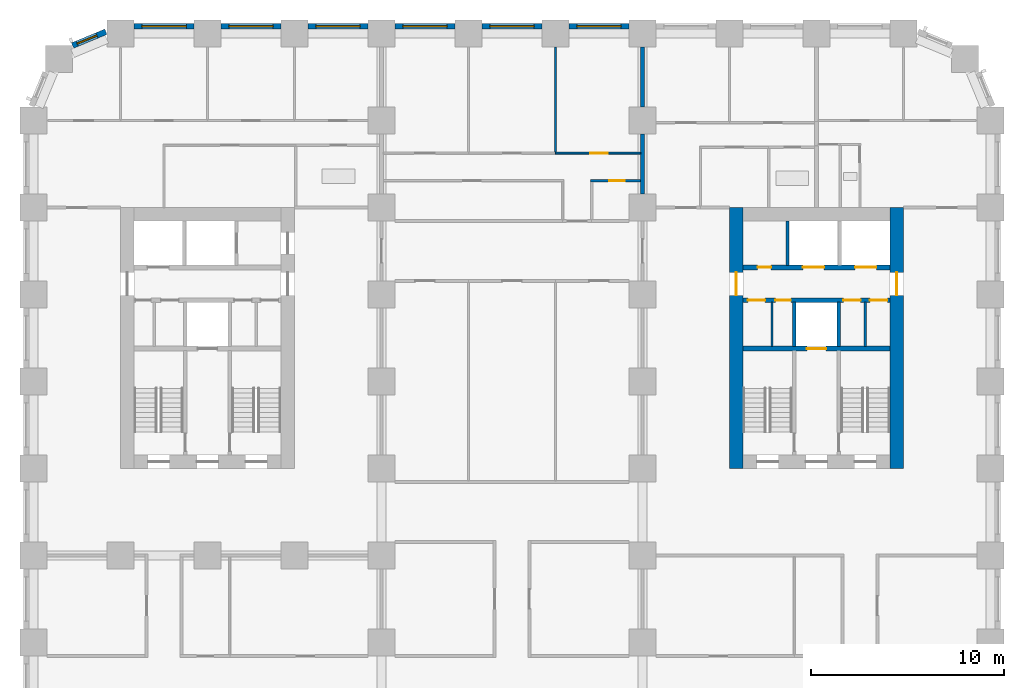
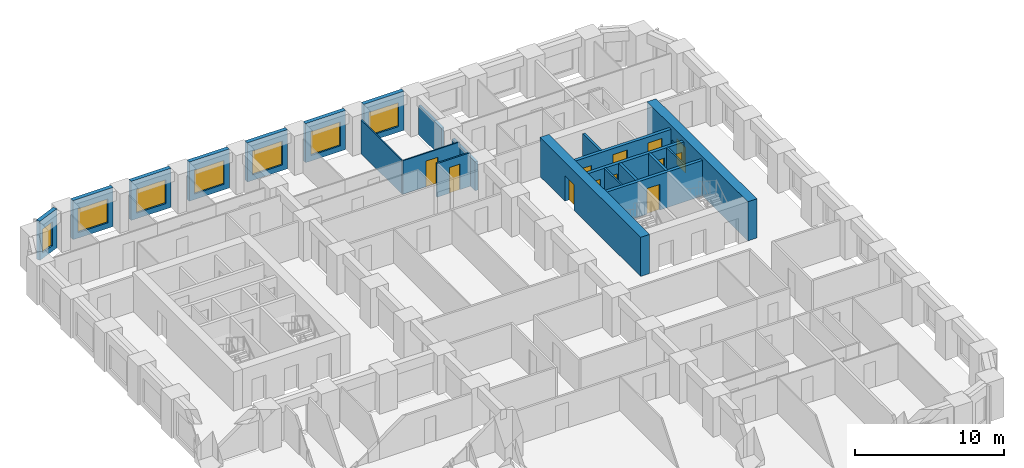
# One storey, part 8 of 13: 22 walls, 12 doors, 7 windows, 19 openings.
"""IFC4 building model written with IfcOpenShell, lengths in metres."""

from ifc_helpers import new_model, si_unit, direction, frame, frame_2d, origin, place, context, subcontext, project, spatial, rectangle, extrude, material, layer, layer_set, type_object, element, fill, save


model = new_model("IFC4")

# Units and contexts
model_context = context("Model", 3, precision=1e-05, world=origin(), true_north=direction((0.0, 1.0)))
body_context = subcontext(model_context, "Body", "Model", "MODEL_VIEW")
ifc_project = project(units=[si_unit("LENGTHUNIT", "METRE"), si_unit("AREAUNIT", "SQUARE_METRE"), si_unit("VOLUMEUNIT", "CUBIC_METRE"), si_unit("PLANEANGLEUNIT", "RADIAN"), si_unit("MASSUNIT", "GRAM", prefix="KILO")], contexts=[model_context])

# Site, building, storey
site_placement = place(None, origin())
site = spatial("IfcSite", under=ifc_project, at=site_placement, CompositionType="ELEMENT")
building_placement = place(site_placement, origin())
building = spatial("IfcBuilding", under=site, at=building_placement, Name="Girih Gate Residences", CompositionType="ELEMENT")
storey_placement = place(building_placement, frame((0.0, 0.0, 40.0)))
storey = spatial("IfcBuildingStorey", under=building, at=storey_placement, Name="L09", CompositionType="ELEMENT", Elevation=40.0)

# Wall, opening, door
ifc_material_1 = material(Name="Concrete C60/75", Category="concrete")
ifc_layer_1 = layer(ifc_material_1, 0.699951171875)
ifc_layer_set_1 = layer_set([ifc_layer_1], Name="Core wall RC 700 Concrete C60/75")
wall_type_1 = type_object("IfcWallType", Name="Core wall RC 700 Concrete C60/75", PredefinedType="SOLIDWALL", material=ifc_layer_set_1)
wall_1_placement = place(storey_placement, frame((36.35009765625, 27.0, 0.0), z_axis=(0.0, 0.0, 1.0), x_axis=(0.0, 1.0, 0.0)))
wall_1 = element("IfcWall", 1, at=wall_1_placement, inside=storey, type_object=wall_type_1, Name="Core wall E-W L09", PredefinedType="SOLIDWALL", context=body_context, shape_type="SweptSolid", body=[
    extrude(rectangle(XDim=13.5, YDim=0.699951171875, at=frame_2d((6.75, 0.0))), origin(), (0.0, 0.0, 1.0), 3.199951171875),
])
opening_1_placement = place(wall_1_placement, frame((8.949951171875, 0.0, 0.0)))
opening_1 = element("IfcOpeningElement", 2, at=opening_1_placement, cuts=wall_1, Name="Opening D-L09-E-014", PredefinedType="OPENING", context=body_context, shape_type="SweptSolid", body=[
    extrude(rectangle(XDim=1.199951171875, YDim=2.10009765625, at=frame_2d((0.60009765625, 1.050048828125))), frame((0.0, 0.35986328125, 0.0), z_axis=(0.0, -1.0, 0.0), x_axis=(1.0, 0.0, 0.0)), (0.0, 0.0, 1.0), 0.719970703125),
])
ifc_material_2 = material(Name="Painted steel, fire-resisting", Category="steel")
door_type_1 = type_object("IfcDoorType", Name="Fire door 1200x2100", OperationType="SINGLE_SWING_LEFT", PredefinedType="DOOR", material=ifc_material_2)
door_1_placement = place(opening_1_placement, origin())
door_1 = element("IfcDoor", 3, at=door_1_placement, inside=storey, type_object=door_type_1, Name="L09 E core door ll-w", OperationType="SINGLE_SWING_LEFT", OverallHeight=2.10009765625, OverallWidth=1.199951171875, PredefinedType="DOOR", context=body_context, shape_type="SweptSolid", body=[
    extrude(rectangle(XDim=1.199951171875, YDim=2.10009765625, at=frame_2d((0.60009765625, 1.050048828125))), frame((0.0, 0.02490234375, 0.0), z_axis=(0.0, -1.0, 0.0), x_axis=(1.0, 0.0, 0.0)), (0.0, 0.0, 1.0), 0.050048828125),
])
fill(opening_1, door_1)

wall_2_placement = place(storey_placement, frame((44.64990234375, 27.0, 0.0), z_axis=(0.0, 0.0, 1.0), x_axis=(0.0, 1.0, 0.0)))
wall_2 = element("IfcWall", 4, at=wall_2_placement, inside=storey, type_object=wall_type_1, Name="Core wall E-E L09", PredefinedType="SOLIDWALL", context=body_context, shape_type="SweptSolid", body=[
    extrude(rectangle(XDim=13.5, YDim=0.699951171875, at=frame_2d((6.75, 0.0))), origin(), (0.0, 0.0, 1.0), 3.199951171875),
])
opening_2_placement = place(wall_2_placement, frame((8.949951171875, 0.0, 0.0)))
opening_2 = element("IfcOpeningElement", 5, at=opening_2_placement, cuts=wall_2, Name="Opening D-L09-E-015", PredefinedType="OPENING", context=body_context, shape_type="SweptSolid", body=[
    extrude(rectangle(XDim=1.199951171875, YDim=2.10009765625, at=frame_2d((0.60009765625, 1.050048828125))), frame((0.0, 0.35986328125, 0.0), z_axis=(0.0, -1.0, 0.0), x_axis=(1.0, 0.0, 0.0)), (0.0, 0.0, 1.0), 0.719970703125),
])
door_2_placement = place(opening_2_placement, origin())
door_2 = element("IfcDoor", 6, at=door_2_placement, inside=storey, type_object=door_type_1, Name="L09 E core door ll-e", OperationType="SINGLE_SWING_LEFT", OverallHeight=2.10009765625, OverallWidth=1.199951171875, PredefinedType="DOOR", context=body_context, shape_type="SweptSolid", body=[
    extrude(rectangle(XDim=1.199951171875, YDim=2.10009765625, at=frame_2d((0.60009765625, 1.050048828125))), frame((0.0, 0.02490234375, 0.0), z_axis=(0.0, -1.0, 0.0), x_axis=(1.0, 0.0, 0.0)), (0.0, 0.0, 1.0), 0.050048828125),
])
fill(opening_2, door_2)

ifc_material_3 = material(Name="Concrete C40/50", Category="concrete")
ifc_layer_2 = layer(ifc_material_3, 0.25)
ifc_layer_set_2 = layer_set([ifc_layer_2], Name="Lift shaft wall 250")
wall_type_2 = type_object("IfcWallType", Name="Lift shaft wall 250", PredefinedType="SOLIDWALL", material=ifc_layer_set_2)
wall_3_placement = place(storey_placement, frame((36.699951171875, 33.199951171875, 0.0), z_axis=(0.0, 0.0, 1.0), x_axis=(1.0, 0.0, 0.0)))
wall_3 = element("IfcWall", 7, at=wall_3_placement, inside=storey, type_object=wall_type_2, Name="L09 E core wall H1", PredefinedType="SOLIDWALL", context=body_context, shape_type="SweptSolid", body=[
    extrude(rectangle(XDim=7.60009765625, YDim=0.25, at=frame_2d((3.800048828125, 0.0))), origin(), (0.0, 0.0, 1.0), 2.89990234375),
])
opening_3_placement = place(wall_3_placement, frame((3.300048828125, 0.0, 0.0)))
opening_3 = element("IfcOpeningElement", 8, at=opening_3_placement, cuts=wall_3, Name="Opening D-L09-E-005", PredefinedType="OPENING", context=body_context, shape_type="SweptSolid", body=[
    extrude(rectangle(XDim=1.0, YDim=2.10009765625, at=frame_2d((0.5, 1.050048828125))), frame((0.0, 0.135009765625, 0.0), z_axis=(0.0, -1.0, 0.0), x_axis=(1.0, 0.0, 0.0)), (0.0, 0.0, 1.0), 0.27001953125),
])
ifc_material_4 = material(Name="Stainless steel, fire-resisting", Category="steel")
door_type_2 = type_object("IfcDoorType", Name="Firefighting lift landing door 1000x2100", OperationType="SLIDING_TO_LEFT", PredefinedType="DOOR", material=ifc_material_4)
door_3_placement = place(opening_3_placement, origin())
door_3 = element("IfcDoor", 9, at=door_3_placement, inside=storey, type_object=door_type_2, Name="L09 lift FF-E landing door", OperationType="SLIDING_TO_LEFT", OverallHeight=2.10009765625, OverallWidth=1.0, PredefinedType="DOOR", context=body_context, shape_type="SweptSolid", body=[
    extrude(rectangle(XDim=1.0, YDim=2.10009765625, at=frame_2d((0.5, 1.050048828125))), frame((0.0, 0.02490234375, 0.0), z_axis=(0.0, -1.0, 0.0), x_axis=(1.0, 0.0, 0.0)), (0.0, 0.0, 1.0), 0.050048828125),
])
fill(opening_3, door_3)

# Wall, openings, doors
wall_4_placement = place(storey_placement, frame((36.699951171875, 35.699951171875, 0.0), z_axis=(0.0, 0.0, 1.0), x_axis=(1.0, 0.0, 0.0)))
wall_4 = element("IfcWall", 10, at=wall_4_placement, inside=storey, type_object=wall_type_2, Name="L09 E core wall H2", PredefinedType="SOLIDWALL", context=body_context, shape_type="SweptSolid", body=[
    extrude(rectangle(XDim=7.60009765625, YDim=0.25, at=frame_2d((3.800048828125, 0.0))), origin(), (0.0, 0.0, 1.0), 2.89990234375),
])
opening_4_placement = place(wall_4_placement, frame((6.5625, 0.0, 0.0)))
opening_4 = element("IfcOpeningElement", 11, at=opening_4_placement, cuts=wall_4, Name="Opening D-L09-E-007", PredefinedType="OPENING", context=body_context, shape_type="SweptSolid", body=[
    extrude(rectangle(XDim=0.89990234375, YDim=2.10009765625, at=frame_2d((0.449951171875, 1.050048828125))), frame((0.0, 0.135009765625, 0.0), z_axis=(0.0, -1.0, 0.0), x_axis=(1.0, 0.0, 0.0)), (0.0, 0.0, 1.0), 0.27001953125),
])
opening_5_placement = place(wall_4_placement, frame((5.1875, 0.0, 0.0)))
opening_5 = element("IfcOpeningElement", 12, at=opening_5_placement, cuts=wall_4, Name="Opening D-L09-E-008", PredefinedType="OPENING", context=body_context, shape_type="SweptSolid", body=[
    extrude(rectangle(XDim=0.89990234375, YDim=2.10009765625, at=frame_2d((0.449951171875, 1.050048828125))), frame((0.0, 0.135009765625, 0.0), z_axis=(0.0, -1.0, 0.0), x_axis=(1.0, 0.0, 0.0)), (0.0, 0.0, 1.0), 0.27001953125),
])
opening_6_placement = place(wall_4_placement, frame((1.675048828125, 0.0, 0.0)))
opening_6 = element("IfcOpeningElement", 13, at=opening_6_placement, cuts=wall_4, Name="Opening D-L09-E-009", PredefinedType="OPENING", context=body_context, shape_type="SweptSolid", body=[
    extrude(rectangle(XDim=0.800048828125, YDim=2.10009765625, at=frame_2d((0.39990234375, 1.050048828125))), frame((0.0, 0.135009765625, 0.0), z_axis=(0.0, -1.0, 0.0), x_axis=(1.0, 0.0, 0.0)), (0.0, 0.0, 1.0), 0.27001953125),
])
opening_7_placement = place(wall_4_placement, frame((0.25, 0.0, 0.0)))
opening_7 = element("IfcOpeningElement", 14, at=opening_7_placement, cuts=wall_4, Name="Opening D-L09-E-010", PredefinedType="OPENING", context=body_context, shape_type="SweptSolid", body=[
    extrude(rectangle(XDim=0.89990234375, YDim=2.10009765625, at=frame_2d((0.449951171875, 1.050048828125))), frame((0.0, 0.135009765625, 0.0), z_axis=(0.0, -1.0, 0.0), x_axis=(1.0, 0.0, 0.0)), (0.0, 0.0, 1.0), 0.27001953125),
])
door_type_3 = type_object("IfcDoorType", Name="Fire door 800x2100", OperationType="SINGLE_SWING_LEFT", PredefinedType="DOOR", material=ifc_material_2)
door_4_placement = place(opening_6_placement, origin())
door_4 = element("IfcDoor", 15, at=door_4_placement, inside=storey, type_object=door_type_3, Name="L09 E cleaners store door", OperationType="SINGLE_SWING_LEFT", OverallHeight=2.10009765625, OverallWidth=0.800048828125, PredefinedType="DOOR", context=body_context, shape_type="SweptSolid", body=[
    extrude(rectangle(XDim=0.800048828125, YDim=2.10009765625, at=frame_2d((0.39990234375, 1.050048828125))), frame((0.0, 0.02490234375, 0.0), z_axis=(0.0, -1.0, 0.0), x_axis=(1.0, 0.0, 0.0)), (0.0, 0.0, 1.0), 0.050048828125),
])
fill(opening_6, door_4)
door_type_4 = type_object("IfcDoorType", Name="Fire door 900x2100", OperationType="SINGLE_SWING_LEFT", PredefinedType="DOOR", material=ifc_material_2)
door_5_placement = place(opening_4_placement, origin())
door_5 = element("IfcDoor", 16, at=door_5_placement, inside=storey, type_object=door_type_4, Name="L09 E comms room door", OperationType="SINGLE_SWING_LEFT", OverallHeight=2.10009765625, OverallWidth=0.89990234375, PredefinedType="DOOR", context=body_context, shape_type="SweptSolid", body=[
    extrude(rectangle(XDim=0.89990234375, YDim=2.10009765625, at=frame_2d((0.449951171875, 1.050048828125))), frame((0.0, 0.02490234375, 0.0), z_axis=(0.0, -1.0, 0.0), x_axis=(1.0, 0.0, 0.0)), (0.0, 0.0, 1.0), 0.050048828125),
])
fill(opening_4, door_5)
door_6_placement = place(opening_5_placement, origin())
door_6 = element("IfcDoor", 17, at=door_6_placement, inside=storey, type_object=door_type_4, Name="L09 E it room door", OperationType="SINGLE_SWING_LEFT", OverallHeight=2.10009765625, OverallWidth=0.89990234375, PredefinedType="DOOR", context=body_context, shape_type="SweptSolid", body=[
    extrude(rectangle(XDim=0.89990234375, YDim=2.10009765625, at=frame_2d((0.449951171875, 1.050048828125))), frame((0.0, 0.02490234375, 0.0), z_axis=(0.0, -1.0, 0.0), x_axis=(1.0, 0.0, 0.0)), (0.0, 0.0, 1.0), 0.050048828125),
])
fill(opening_5, door_6)
door_7_placement = place(opening_7_placement, origin())
door_7 = element("IfcDoor", 18, at=door_7_placement, inside=storey, type_object=door_type_4, Name="L09 E riser room door", OperationType="SINGLE_SWING_LEFT", OverallHeight=2.10009765625, OverallWidth=0.89990234375, PredefinedType="DOOR", context=body_context, shape_type="SweptSolid", body=[
    extrude(rectangle(XDim=0.89990234375, YDim=2.10009765625, at=frame_2d((0.449951171875, 1.050048828125))), frame((0.0, 0.02490234375, 0.0), z_axis=(0.0, -1.0, 0.0), x_axis=(1.0, 0.0, 0.0)), (0.0, 0.0, 1.0), 0.050048828125),
])
fill(opening_7, door_7)

wall_5_placement = place(storey_placement, frame((36.699951171875, 37.39990234375, 0.0), z_axis=(0.0, 0.0, 1.0), x_axis=(1.0, 0.0, 0.0)))
wall_5 = element("IfcWall", 19, at=wall_5_placement, inside=storey, type_object=wall_type_2, Name="L09 E core wall H3", PredefinedType="SOLIDWALL", context=body_context, shape_type="SweptSolid", body=[
    extrude(rectangle(XDim=7.60009765625, YDim=0.25, at=frame_2d((3.800048828125, 0.0))), origin(), (0.0, 0.0, 1.0), 2.89990234375),
])
opening_8_placement = place(wall_5_placement, frame((5.800048828125, 0.0, 0.0)))
opening_8 = element("IfcOpeningElement", 20, at=opening_8_placement, cuts=wall_5, Name="Opening D-L09-E-003", PredefinedType="OPENING", context=body_context, shape_type="SweptSolid", body=[
    extrude(rectangle(XDim=1.10009765625, YDim=2.39990234375, at=frame_2d((0.550048828125, 1.199951171875))), frame((0.0, 0.135009765625, 0.0), z_axis=(0.0, -1.0, 0.0), x_axis=(1.0, 0.0, 0.0)), (0.0, 0.0, 1.0), 0.27001953125),
])
opening_9_placement = place(wall_5_placement, frame((3.10009765625, 0.0, 0.0)))
opening_9 = element("IfcOpeningElement", 21, at=opening_9_placement, cuts=wall_5, Name="Opening D-L09-E-004", PredefinedType="OPENING", context=body_context, shape_type="SweptSolid", body=[
    extrude(rectangle(XDim=1.10009765625, YDim=2.39990234375, at=frame_2d((0.550048828125, 1.199951171875))), frame((0.0, 0.135009765625, 0.0), z_axis=(0.0, -1.0, 0.0), x_axis=(1.0, 0.0, 0.0)), (0.0, 0.0, 1.0), 0.27001953125),
])
opening_10_placement = place(wall_5_placement, frame((0.75, 0.0, 0.0)))
opening_10 = element("IfcOpeningElement", 22, at=opening_10_placement, cuts=wall_5, Name="Opening D-L09-E-006", PredefinedType="OPENING", context=body_context, shape_type="SweptSolid", body=[
    extrude(rectangle(XDim=0.699951171875, YDim=2.10009765625, at=frame_2d((0.35009765625, 1.050048828125))), frame((0.0, 0.135009765625, 0.0), z_axis=(0.0, -1.0, 0.0), x_axis=(1.0, 0.0, 0.0)), (0.0, 0.0, 1.0), 0.27001953125),
])
ifc_material_5 = material(Name="Stainless steel", Category="steel")
door_type_5 = type_object("IfcDoorType", Name="Lift landing door 1100x2400", OperationType="SLIDING_TO_LEFT", PredefinedType="DOOR", material=ifc_material_5)
door_8_placement = place(opening_8_placement, origin())
door_8 = element("IfcDoor", 23, at=door_8_placement, inside=storey, type_object=door_type_5, Name="L09 lift LR-E1 landing door", OperationType="SLIDING_TO_LEFT", OverallHeight=2.39990234375, OverallWidth=1.10009765625, PredefinedType="DOOR", context=body_context, shape_type="SweptSolid", body=[
    extrude(rectangle(XDim=1.10009765625, YDim=2.39990234375, at=frame_2d((0.550048828125, 1.199951171875))), frame((0.0, 0.02490234375, 0.0), z_axis=(0.0, -1.0, 0.0), x_axis=(1.0, 0.0, 0.0)), (0.0, 0.0, 1.0), 0.050048828125),
])
fill(opening_8, door_8)
door_9_placement = place(opening_9_placement, origin())
door_9 = element("IfcDoor", 24, at=door_9_placement, inside=storey, type_object=door_type_5, Name="L09 lift LR-E2 landing door", OperationType="SLIDING_TO_LEFT", OverallHeight=2.39990234375, OverallWidth=1.10009765625, PredefinedType="DOOR", context=body_context, shape_type="SweptSolid", body=[
    extrude(rectangle(XDim=1.10009765625, YDim=2.39990234375, at=frame_2d((0.550048828125, 1.199951171875))), frame((0.0, 0.02490234375, 0.0), z_axis=(0.0, -1.0, 0.0), x_axis=(1.0, 0.0, 0.0)), (0.0, 0.0, 1.0), 0.050048828125),
])
fill(opening_9, door_9)
door_type_6 = type_object("IfcDoorType", Name="Riser access door 700x2100", OperationType="SINGLE_SWING_LEFT", PredefinedType="DOOR", material=ifc_material_2)
door_10_placement = place(opening_10_placement, origin())
door_10 = element("IfcDoor", 25, at=door_10_placement, inside=storey, type_object=door_type_6, Name="L09 E riser room door", OperationType="SINGLE_SWING_LEFT", OverallHeight=2.10009765625, OverallWidth=0.699951171875, PredefinedType="DOOR", context=body_context, shape_type="SweptSolid", body=[
    extrude(rectangle(XDim=0.699951171875, YDim=2.10009765625, at=frame_2d((0.35009765625, 1.050048828125))), frame((0.0, 0.02490234375, 0.0), z_axis=(0.0, -1.0, 0.0), x_axis=(1.0, 0.0, 0.0)), (0.0, 0.0, 1.0), 0.050048828125),
])
fill(opening_10, door_10)

# Wall
ifc_material_6 = material(Name="Gypsum board on steel studs", Category="steel")
ifc_layer_3 = layer(ifc_material_6, 0.10009765625)
ifc_layer_set_3 = layer_set([ifc_layer_3], Name="Partition 100 mm")
wall_type_3 = type_object("IfcWallType", Name="Partition 100 mm", PredefinedType="PARTITIONING", material=ifc_layer_set_3)
wall_6_placement = place(storey_placement, frame((27.0, 43.360107421875, 0.0), z_axis=(0.0, 0.0, 1.0), x_axis=(0.0, 1.0, 0.0)))
element("IfcWall", 26, at=wall_6_placement, inside=storey, type_object=wall_type_3, Name="L09 partition", PredefinedType="PARTITIONING", context=body_context, shape_type="SweptSolid", body=[
    extrude(rectangle(XDim=5.43994140625, YDim=0.10009765625, at=frame_2d((2.719970703125, 0.0))), origin(), (0.0, 0.0, 1.0), 2.75),
])

# Wall, opening, door
wall_7_placement = place(storey_placement, frame((27.0, 43.31005859375, 0.0), z_axis=(0.0, 0.0, 1.0), x_axis=(1.0, 0.0, 0.0)))
wall_7 = element("IfcWall", 27, at=wall_7_placement, inside=storey, type_object=wall_type_3, Name="L09 partition", PredefinedType="PARTITIONING", context=body_context, shape_type="SweptSolid", body=[
    extrude(rectangle(XDim=4.39990234375, YDim=0.10009765625, at=frame_2d((2.199951171875, 0.0))), origin(), (0.0, 0.0, 1.0), 2.75),
])
opening_11_placement = place(wall_7_placement, frame((1.800048828125, 0.0, 0.0)))
opening_11 = element("IfcOpeningElement", 28, at=opening_11_placement, cuts=wall_7, Name="Opening A09-040", PredefinedType="OPENING", context=body_context, shape_type="SweptSolid", body=[
    extrude(rectangle(XDim=0.89990234375, YDim=2.10009765625, at=frame_2d((0.449951171875, 1.050048828125))), frame((0.0, 0.06005859375, 0.0), z_axis=(0.0, -1.0, 0.0), x_axis=(1.0, 0.0, 0.0)), (0.0, 0.0, 1.0), 0.1201171875),
])
ifc_material_7 = material(Name="Timber", Category="wood")
door_type_7 = type_object("IfcDoorType", Name="Bedroom door 900x2100", OperationType="NOTDEFINED", PredefinedType="DOOR", material=ifc_material_7)
door_11_placement = place(opening_11_placement, origin())
door_11 = element("IfcDoor", 29, at=door_11_placement, inside=storey, type_object=door_type_7, Name="Door A09-040", OperationType="SINGLE_SWING_RIGHT", OverallHeight=2.10009765625, OverallWidth=0.89990234375, PredefinedType="DOOR", context=body_context, shape_type="SweptSolid", body=[
    extrude(rectangle(XDim=0.89990234375, YDim=2.10009765625, at=frame_2d((0.449951171875, 1.050048828125))), frame((0.0, 0.02490234375, 0.0), z_axis=(0.0, -1.0, 0.0), x_axis=(1.0, 0.0, 0.0)), (0.0, 0.0, 1.0), 0.050048828125),
])
fill(opening_11, door_11)

# Walls
ifc_layer_4 = layer(ifc_material_6, 0.199951171875)
ifc_layer_set_4 = layer_set([ifc_layer_4], Name="Party wall 200 mm")
wall_type_4 = type_object("IfcWallType", Name="Party wall 200 mm", PredefinedType="PARTITIONING", material=ifc_layer_set_4)
for number, where, z_axis, x_axis, name in (
    (30, (31.5, 41.199951171875, 0.0), (0.0, 0.0, 1.0), (0.0, 1.0, 0.0), "L09 partition"),
    (31, (31.5, 45.699951171875, 0.0), (0.0, 0.0, 1.0), (0.0, 1.0, 0.0), "L09 partition"),
):
    element("IfcWall", number, at=place(storey_placement, frame(where, z_axis=z_axis, x_axis=x_axis)), inside=storey, type_object=wall_type_4, Name=name, PredefinedType="PARTITIONING", context=body_context, shape_type="SweptSolid", body=[
        extrude(rectangle(XDim=3.10009765625, YDim=0.199951171875, at=frame_2d((1.550048828125, 0.0))), origin(), (0.0, 0.0, 1.0), 2.3798828125),
    ])

# Wall, opening, window
ifc_material_8 = material(Name="Precast concrete C50/60", Category="concrete")
ifc_layer_5 = layer(ifc_material_8, 0.080078125, Name="Outer leaf")
ifc_material_9 = material(Name="Rigid PIR insulation")
ifc_layer_6 = layer(ifc_material_9, 0.14990234375, Name="Insulation")
ifc_material_10 = material(Name="Precast concrete C40/50", Category="concrete")
ifc_layer_7 = layer(ifc_material_10, 0.070068359375, Name="Inner leaf")
ifc_layer_set_5 = layer_set([ifc_layer_5, ifc_layer_6, ifc_layer_7], Name="Precast concrete C50/60 external wall 300")
wall_type_5 = type_object("IfcWallType", Name="Precast concrete C50/60 external wall 300", PredefinedType="SOLIDWALL", material=ifc_layer_set_5)
wall_8_placement = place(storey_placement, frame((27.699951171875, 49.875, 0.0), z_axis=(0.0, 0.0, 1.0), x_axis=(1.0, 0.0, 0.0)))
wall_8 = element("IfcWall", 32, at=wall_8_placement, inside=storey, type_object=wall_type_5, Name="External wall N0450_0495.3", PredefinedType="SOLIDWALL", context=body_context, shape_type="SweptSolid", body=[
    extrude(rectangle(XDim=3.10009765625, YDim=0.300048828125, at=frame_2d((1.550048828125, 0.0))), origin(), (0.0, 0.0, 1.0), 3.199951171875),
])
opening_12_placement = place(wall_8_placement, frame((0.39990234375, 0.0, 0.449951171875)))
opening_12 = element("IfcOpeningElement", 33, at=opening_12_placement, cuts=wall_8, Name="Opening W-1", PredefinedType="OPENING", context=body_context, shape_type="SweptSolid", body=[
    extrude(rectangle(XDim=2.300048828125, YDim=1.949951171875, at=frame_2d((1.14990234375, 0.97509765625))), frame((0.0, 0.159912109375, 0.0), z_axis=(0.0, -1.0, 0.0), x_axis=(1.0, 0.0, 0.0)), (0.0, 0.0, 1.0), 0.320068359375),
])
ifc_material_11 = material(Name="Double glazing in aluminium frame", Category="aluminium")
window_type_1 = type_object("IfcWindowType", Name="Window W-1 2300x1950", PartitioningType="SINGLE_PANEL", PredefinedType="WINDOW", material=ifc_material_11)
window_1_placement = place(opening_12_placement, origin())
window_1 = element("IfcWindow", 34, at=window_1_placement, inside=storey, type_object=window_type_1, Name="Window W-1 N0450_0495.3", OverallHeight=1.949951171875, OverallWidth=2.300048828125, PartitioningType="SINGLE_PANEL", PredefinedType="WINDOW", context=body_context, shape_type="SweptSolid", body=[
    extrude(rectangle(XDim=2.300048828125, YDim=1.949951171875, at=frame_2d((1.14990234375, 0.97509765625))), frame((0.0, 0.030029296875, 0.0), z_axis=(0.0, -1.0, 0.0), x_axis=(1.0, 0.0, 0.0)), (0.0, 0.0, 1.0), 0.06005859375),
])
fill(opening_12, window_1)

wall_9_placement = place(storey_placement, frame((23.199951171875, 49.875, 0.0), z_axis=(0.0, 0.0, 1.0), x_axis=(1.0, 0.0, 0.0)))
wall_9 = element("IfcWall", 35, at=wall_9_placement, inside=storey, type_object=wall_type_5, Name="External wall N0450_0495.4", PredefinedType="SOLIDWALL", context=body_context, shape_type="SweptSolid", body=[
    extrude(rectangle(XDim=3.10009765625, YDim=0.300048828125, at=frame_2d((1.550048828125, 0.0))), origin(), (0.0, 0.0, 1.0), 3.199951171875),
])
opening_13_placement = place(wall_9_placement, frame((0.39990234375, 0.0, 0.449951171875)))
opening_13 = element("IfcOpeningElement", 36, at=opening_13_placement, cuts=wall_9, Name="Opening W-1", PredefinedType="OPENING", context=body_context, shape_type="SweptSolid", body=[
    extrude(rectangle(XDim=2.300048828125, YDim=1.949951171875, at=frame_2d((1.14990234375, 0.97509765625))), frame((0.0, 0.159912109375, 0.0), z_axis=(0.0, -1.0, 0.0), x_axis=(1.0, 0.0, 0.0)), (0.0, 0.0, 1.0), 0.320068359375),
])
window_2_placement = place(opening_13_placement, origin())
window_2 = element("IfcWindow", 37, at=window_2_placement, inside=storey, type_object=window_type_1, Name="Window W-1 N0450_0495.4", OverallHeight=1.949951171875, OverallWidth=2.300048828125, PartitioningType="SINGLE_PANEL", PredefinedType="WINDOW", context=body_context, shape_type="SweptSolid", body=[
    extrude(rectangle(XDim=2.300048828125, YDim=1.949951171875, at=frame_2d((1.14990234375, 0.97509765625))), frame((0.0, 0.030029296875, 0.0), z_axis=(0.0, -1.0, 0.0), x_axis=(1.0, 0.0, 0.0)), (0.0, 0.0, 1.0), 0.06005859375),
])
fill(opening_13, window_2)

wall_10_placement = place(storey_placement, frame((18.699951171875, 49.875, 0.0), z_axis=(0.0, 0.0, 1.0), x_axis=(1.0, 0.0, 0.0)))
wall_10 = element("IfcWall", 38, at=wall_10_placement, inside=storey, type_object=wall_type_5, Name="External wall N0450_0495.5", PredefinedType="SOLIDWALL", context=body_context, shape_type="SweptSolid", body=[
    extrude(rectangle(XDim=3.10009765625, YDim=0.300048828125, at=frame_2d((1.550048828125, 0.0))), origin(), (0.0, 0.0, 1.0), 3.199951171875),
])
opening_14_placement = place(wall_10_placement, frame((0.39990234375, 0.0, 0.449951171875)))
opening_14 = element("IfcOpeningElement", 39, at=opening_14_placement, cuts=wall_10, Name="Opening W-1", PredefinedType="OPENING", context=body_context, shape_type="SweptSolid", body=[
    extrude(rectangle(XDim=2.300048828125, YDim=1.949951171875, at=frame_2d((1.14990234375, 0.97509765625))), frame((0.0, 0.159912109375, 0.0), z_axis=(0.0, -1.0, 0.0), x_axis=(1.0, 0.0, 0.0)), (0.0, 0.0, 1.0), 0.320068359375),
])
window_3_placement = place(opening_14_placement, origin())
window_3 = element("IfcWindow", 40, at=window_3_placement, inside=storey, type_object=window_type_1, Name="Window W-1 N0450_0495.5", OverallHeight=1.949951171875, OverallWidth=2.300048828125, PartitioningType="SINGLE_PANEL", PredefinedType="WINDOW", context=body_context, shape_type="SweptSolid", body=[
    extrude(rectangle(XDim=2.300048828125, YDim=1.949951171875, at=frame_2d((1.14990234375, 0.97509765625))), frame((0.0, 0.030029296875, 0.0), z_axis=(0.0, -1.0, 0.0), x_axis=(1.0, 0.0, 0.0)), (0.0, 0.0, 1.0), 0.06005859375),
])
fill(opening_14, window_3)

wall_11_placement = place(storey_placement, frame((14.199951171875, 49.875, 0.0), z_axis=(0.0, 0.0, 1.0), x_axis=(1.0, 0.0, 0.0)))
wall_11 = element("IfcWall", 41, at=wall_11_placement, inside=storey, type_object=wall_type_5, Name="External wall N0450_0495.6", PredefinedType="SOLIDWALL", context=body_context, shape_type="SweptSolid", body=[
    extrude(rectangle(XDim=3.10009765625, YDim=0.300048828125, at=frame_2d((1.550048828125, 0.0))), origin(), (0.0, 0.0, 1.0), 3.199951171875),
])
opening_15_placement = place(wall_11_placement, frame((0.39990234375, 0.0, 0.449951171875)))
opening_15 = element("IfcOpeningElement", 42, at=opening_15_placement, cuts=wall_11, Name="Opening W-1", PredefinedType="OPENING", context=body_context, shape_type="SweptSolid", body=[
    extrude(rectangle(XDim=2.300048828125, YDim=1.949951171875, at=frame_2d((1.14990234375, 0.97509765625))), frame((0.0, 0.159912109375, 0.0), z_axis=(0.0, -1.0, 0.0), x_axis=(1.0, 0.0, 0.0)), (0.0, 0.0, 1.0), 0.320068359375),
])
window_4_placement = place(opening_15_placement, origin())
window_4 = element("IfcWindow", 43, at=window_4_placement, inside=storey, type_object=window_type_1, Name="Window W-1 N0450_0495.6", OverallHeight=1.949951171875, OverallWidth=2.300048828125, PartitioningType="SINGLE_PANEL", PredefinedType="WINDOW", context=body_context, shape_type="SweptSolid", body=[
    extrude(rectangle(XDim=2.300048828125, YDim=1.949951171875, at=frame_2d((1.14990234375, 0.97509765625))), frame((0.0, 0.030029296875, 0.0), z_axis=(0.0, -1.0, 0.0), x_axis=(1.0, 0.0, 0.0)), (0.0, 0.0, 1.0), 0.06005859375),
])
fill(opening_15, window_4)

wall_12_placement = place(storey_placement, frame((9.699951171875, 49.875, 0.0), z_axis=(0.0, 0.0, 1.0), x_axis=(1.0, 0.0, 0.0)))
wall_12 = element("IfcWall", 44, at=wall_12_placement, inside=storey, type_object=wall_type_5, Name="External wall N0450_0495.7", PredefinedType="SOLIDWALL", context=body_context, shape_type="SweptSolid", body=[
    extrude(rectangle(XDim=3.10009765625, YDim=0.300048828125, at=frame_2d((1.550048828125, 0.0))), origin(), (0.0, 0.0, 1.0), 3.199951171875),
])
opening_16_placement = place(wall_12_placement, frame((0.39990234375, 0.0, 0.449951171875)))
opening_16 = element("IfcOpeningElement", 45, at=opening_16_placement, cuts=wall_12, Name="Opening W-1", PredefinedType="OPENING", context=body_context, shape_type="SweptSolid", body=[
    extrude(rectangle(XDim=2.300048828125, YDim=1.949951171875, at=frame_2d((1.14990234375, 0.97509765625))), frame((0.0, 0.159912109375, 0.0), z_axis=(0.0, -1.0, 0.0), x_axis=(1.0, 0.0, 0.0)), (0.0, 0.0, 1.0), 0.320068359375),
])
window_5_placement = place(opening_16_placement, origin())
window_5 = element("IfcWindow", 46, at=window_5_placement, inside=storey, type_object=window_type_1, Name="Window W-1 N0450_0495.7", OverallHeight=1.949951171875, OverallWidth=2.300048828125, PartitioningType="SINGLE_PANEL", PredefinedType="WINDOW", context=body_context, shape_type="SweptSolid", body=[
    extrude(rectangle(XDim=2.300048828125, YDim=1.949951171875, at=frame_2d((1.14990234375, 0.97509765625))), frame((0.0, 0.030029296875, 0.0), z_axis=(0.0, -1.0, 0.0), x_axis=(1.0, 0.0, 0.0)), (0.0, 0.0, 1.0), 0.06005859375),
])
fill(opening_16, window_5)

wall_13_placement = place(storey_placement, frame((5.199951171875, 49.875, 0.0), z_axis=(0.0, 0.0, 1.0), x_axis=(1.0, 0.0, 0.0)))
wall_13 = element("IfcWall", 47, at=wall_13_placement, inside=storey, type_object=wall_type_5, Name="External wall N0450_0495.8", PredefinedType="SOLIDWALL", context=body_context, shape_type="SweptSolid", body=[
    extrude(rectangle(XDim=3.10009765625, YDim=0.300048828125, at=frame_2d((1.550048828125, 0.0))), origin(), (0.0, 0.0, 1.0), 3.199951171875),
])
opening_17_placement = place(wall_13_placement, frame((0.39990234375, 0.0, 0.449951171875)))
opening_17 = element("IfcOpeningElement", 48, at=opening_17_placement, cuts=wall_13, Name="Opening W-1", PredefinedType="OPENING", context=body_context, shape_type="SweptSolid", body=[
    extrude(rectangle(XDim=2.300048828125, YDim=1.949951171875, at=frame_2d((1.14990234375, 0.97509765625))), frame((0.0, 0.159912109375, 0.0), z_axis=(0.0, -1.0, 0.0), x_axis=(1.0, 0.0, 0.0)), (0.0, 0.0, 1.0), 0.320068359375),
])
window_6_placement = place(opening_17_placement, origin())
window_6 = element("IfcWindow", 49, at=window_6_placement, inside=storey, type_object=window_type_1, Name="Window W-1 N0450_0495.8", OverallHeight=1.949951171875, OverallWidth=2.300048828125, PartitioningType="SINGLE_PANEL", PredefinedType="WINDOW", context=body_context, shape_type="SweptSolid", body=[
    extrude(rectangle(XDim=2.300048828125, YDim=1.949951171875, at=frame_2d((1.14990234375, 0.97509765625))), frame((0.0, 0.030029296875, 0.0), z_axis=(0.0, -1.0, 0.0), x_axis=(1.0, 0.0, 0.0)), (0.0, 0.0, 1.0), 0.06005859375),
])
fill(opening_17, window_6)

wall_14_placement = place(storey_placement, frame((2.01953125, 48.87841796875, 0.0), z_axis=(0.0, 0.0, 1.0), x_axis=(0.923903565336, 0.38262540684, 0.0)))
wall_14 = element("IfcWall", 50, at=wall_14_placement, inside=storey, type_object=wall_type_5, Name="External wall NW0045_0495.0", PredefinedType="SOLIDWALL", context=body_context, shape_type="SweptSolid", body=[
    extrude(rectangle(XDim=1.864990234375, YDim=0.300048828125, at=frame_2d((0.9326171875, 0.0))), origin(), (0.0, 0.0, 1.0), 3.199951171875),
])
opening_18_placement = place(wall_14_placement, frame((0.257568359375, 0.0, 0.449951171875)))
opening_18 = element("IfcOpeningElement", 51, at=opening_18_placement, cuts=wall_14, Name="Opening W-2C", PredefinedType="OPENING", context=body_context, shape_type="SweptSolid", body=[
    extrude(rectangle(XDim=1.10009765625, YDim=1.949951171875, at=frame_2d((0.550048828125, 0.97509765625))), frame((0.0, 0.159912109375, 0.0), z_axis=(0.0, -1.0, 0.0), x_axis=(1.0, 0.0, 0.0)), (0.0, 0.0, 1.0), 0.320068359375),
])
window_type_2 = type_object("IfcWindowType", Name="Window W-2C 1100x1950", PartitioningType="SINGLE_PANEL", PredefinedType="WINDOW", material=ifc_material_11)
window_7_placement = place(opening_18_placement, origin())
window_7 = element("IfcWindow", 52, at=window_7_placement, inside=storey, type_object=window_type_2, Name="Window W-2C NW0045_0495.0", OverallHeight=1.949951171875, OverallWidth=1.10009765625, PartitioningType="SINGLE_PANEL", PredefinedType="WINDOW", context=body_context, shape_type="SweptSolid", body=[
    extrude(rectangle(XDim=1.10009765625, YDim=1.949951171875, at=frame_2d((0.550048828125, 0.97509765625))), frame((0.0, 0.030029296875, 0.0), z_axis=(0.0, -1.0, 0.0), x_axis=(1.0, 0.0, 0.0)), (0.0, 0.0, 1.0), 0.06005859375),
])
fill(opening_18, window_7)

# Walls
ifc_layer_8 = layer(ifc_material_3, 0.175048828125)
ifc_layer_set_6 = layer_set([ifc_layer_8], Name="Riser shaft wall 175")
wall_type_6 = type_object("IfcWallType", Name="Riser shaft wall 175", PredefinedType="SOLIDWALL", material=ifc_layer_set_6)
wall_15_placement = place(storey_placement, frame((39.0, 37.5, 0.0), z_axis=(0.0, 0.0, 1.0), x_axis=(0.0, 1.0, 0.0)))
element("IfcWall", 53, at=wall_15_placement, inside=storey, type_object=wall_type_6, Name="L09 E core wall V2c", PredefinedType="SOLIDWALL", context=body_context, shape_type="SweptSolid", body=[
    extrude(rectangle(XDim=2.300048828125, YDim=0.175048828125, at=frame_2d((1.14990234375, 0.0))), origin(), (0.0, 0.0, 1.0), 2.89990234375),
])
ifc_layer_9 = layer(ifc_material_3, 0.199951171875)
ifc_layer_set_7 = layer_set([ifc_layer_9], Name="Shaft wall 200")
wall_type_7 = type_object("IfcWallType", Name="Shaft wall 200", PredefinedType="SOLIDWALL", material=ifc_layer_set_7)
for number, where, z_axis, x_axis, name in (
    (54, (41.64990234375, 33.300048828125, 0.0), (0.0, 0.0, 1.0), (0.0, 1.0, 0.0), "L09 E core wall V1b"),
    (55, (39.35009765625, 33.300048828125, 0.0), (0.0, 0.0, 1.0), (0.0, 1.0, 0.0), "L09 E core wall V2b"),
):
    element("IfcWall", number, at=place(storey_placement, frame(where, z_axis=z_axis, x_axis=x_axis)), inside=storey, type_object=wall_type_7, Name=name, PredefinedType="SOLIDWALL", context=body_context, shape_type="SweptSolid", body=[
        extrude(rectangle(XDim=2.300048828125, YDim=0.199951171875, at=frame_2d((1.14990234375, 0.0))), origin(), (0.0, 0.0, 1.0), 2.89990234375),
    ])
ifc_material_12 = material(Name="Calcium silicate blockwork", Category="masonry")
ifc_layer_10 = layer(ifc_material_12, 0.125)
ifc_layer_set_8 = layer_set([ifc_layer_10], Name="Store partition 125")
wall_type_8 = type_object("IfcWallType", Name="Store partition 125", PredefinedType="PARTITIONING", material=ifc_layer_set_8)
for number, where, z_axis, x_axis, name in (
    (56, (43.02490234375, 33.300048828125, 0.0), (0.0, 0.0, 1.0), (0.0, 1.0, 0.0), "L09 E core wall SHR1"),
    (57, (38.199951171875, 33.300048828125, 0.0), (0.0, 0.0, 1.0), (0.0, 1.0, 0.0), "L09 E core wall SHR2"),
):
    element("IfcWall", number, at=place(storey_placement, frame(where, z_axis=z_axis, x_axis=x_axis)), inside=storey, type_object=wall_type_8, Name=name, PredefinedType="PARTITIONING", context=body_context, shape_type="SweptSolid", body=[
        extrude(rectangle(XDim=2.300048828125, YDim=0.125, at=frame_2d((1.14990234375, 0.0))), origin(), (0.0, 0.0, 1.0), 2.89990234375),
    ])

# Wall, opening, door
ifc_layer_11 = layer(ifc_material_6, 0.125)
ifc_layer_set_9 = layer_set([ifc_layer_11], Name="Wet room wall 125 mm")
wall_type_9 = type_object("IfcWallType", Name="Wet room wall 125 mm", PredefinedType="PARTITIONING", material=ifc_layer_set_9)
wall_16_placement = place(storey_placement, frame((31.39990234375, 41.889892578125, 0.0), z_axis=(0.0, 0.0, 1.0), x_axis=(-1.0, 0.0, 0.0)))
wall_16 = element("IfcWall", 58, at=wall_16_placement, inside=storey, type_object=wall_type_9, Name="L09 partition", PredefinedType="PARTITIONING", context=body_context, shape_type="SweptSolid", body=[
    extrude(rectangle(XDim=2.58740234375, YDim=0.125, at=frame_2d((1.293701171875, 0.0))), origin(), (0.0, 0.0, 1.0), 2.75),
])
opening_19_placement = place(wall_16_placement, frame((0.8125, 0.0, 0.0)))
opening_19 = element("IfcOpeningElement", 59, at=opening_19_placement, cuts=wall_16, Name="Opening A09-038", PredefinedType="OPENING", context=body_context, shape_type="SweptSolid", body=[
    extrude(rectangle(XDim=0.800048828125, YDim=2.10009765625, at=frame_2d((0.39990234375, 1.050048828125))), frame((0.0, 0.072509765625, 0.0), z_axis=(0.0, -1.0, 0.0), x_axis=(1.0, 0.0, 0.0)), (0.0, 0.0, 1.0), 0.14501953125),
])
door_type_8 = type_object("IfcDoorType", Name="Bathroom door 800x2100", OperationType="NOTDEFINED", PredefinedType="DOOR", material=ifc_material_7)
door_12_placement = place(opening_19_placement, origin())
door_12 = element("IfcDoor", 60, at=door_12_placement, inside=storey, type_object=door_type_8, Name="Door A09-038", OperationType="SINGLE_SWING_LEFT", OverallHeight=2.10009765625, OverallWidth=0.800048828125, PredefinedType="DOOR", context=body_context, shape_type="SweptSolid", body=[
    extrude(rectangle(XDim=0.800048828125, YDim=2.10009765625, at=frame_2d((0.39990234375, 1.050048828125))), frame((0.0, 0.02490234375, 0.0), z_axis=(0.0, -1.0, 0.0), x_axis=(1.0, 0.0, 0.0)), (0.0, 0.0, 1.0), 0.050048828125),
])
fill(opening_19, door_12)

save(model, "model.ifc")
